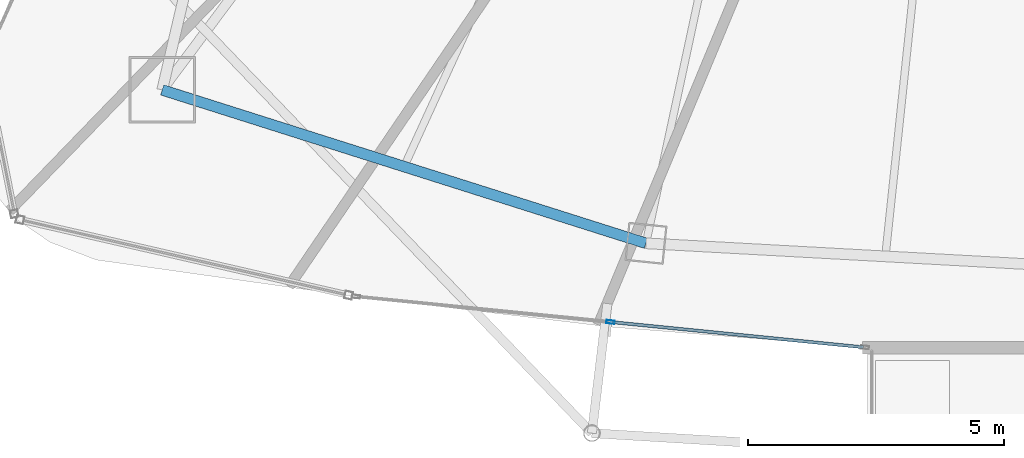
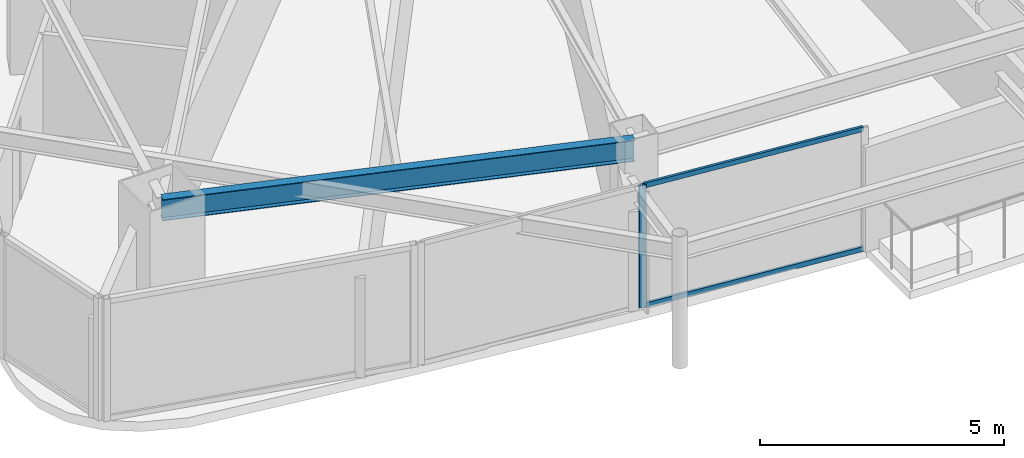
# One storey, part 4 of 29: 3 members, 1 beam, 1 element without a shape of its own.
"""IFC4 building model written with IfcOpenShell, lengths in metres."""

from ifc_helpers import new_model, si_unit, direction, frame, origin, origin_2d, place, context, subcontext, project, spatial, hollow_rectangle, i_section, extrude, material, layer, layer_set, material_profile, profile_set, type_object, element, aggregate, save


model = new_model("IFC4")

# Units and contexts
model_context = context("Model", 3, precision=1e-05, world=origin(), true_north=direction((0.0, 1.0)))
body_context = subcontext(model_context, "Body", "Model", "MODEL_VIEW")
ifc_project = project(units=[si_unit("LENGTHUNIT", "METRE"), si_unit("AREAUNIT", "SQUARE_METRE"), si_unit("VOLUMEUNIT", "CUBIC_METRE"), si_unit("PLANEANGLEUNIT", "RADIAN"), si_unit("MASSUNIT", "GRAM", prefix="KILO")], contexts=[model_context])

# Site, building, storey
site_placement = place(None, origin())
site = spatial("IfcSite", under=ifc_project, at=site_placement, CompositionType="ELEMENT")
building_placement = place(site_placement, origin())
building = spatial("IfcBuilding", under=site, at=building_placement, Name="Orvanel Arch Residences", CompositionType="ELEMENT")
storey_placement = place(building_placement, frame((0.0, 0.0, 243.64990234375)))
storey = spatial("IfcBuildingStorey", under=building, at=storey_placement, Name="L69", CompositionType="ELEMENT", Elevation=243.64990234375)

# Curtain wall, member
ifc_material_1 = material(Name="Bronze-anodised aluminium AA6063-T6", Category="aluminium")
ifc_layer = layer(ifc_material_1, 0.175048828125)
ifc_layer_set = layer_set([ifc_layer], Name="Bronze-anodised aluminium AA6063-T6")
curtain_wall_type = type_object("IfcCurtainWallType", Name="CW4-HI-SYS", PredefinedType="NOTDEFINED", material=ifc_layer_set)
curtain_wall_placement = place(storey_placement, origin())
curtain_wall = element("IfcCurtainWall", 1, at=curtain_wall_placement, inside=storey, type_object=curtain_wall_type, Name="L69 CW4-HI-SYS Unitised Curtain Wall", PredefinedType="NOTDEFINED")
ifc_material_profile_1 = material_profile(ifc_material_1, hollow_rectangle(XDim=0.06494140625, YDim=0.159912109375, WallThickness=0.00390625, at=origin_2d()), Name="ALU160x65x4")
ifc_profile_set_1 = profile_set([ifc_material_profile_1], Name="Bronze-anodised aluminium AA6063-T6")
member_type_1 = type_object("IfcMemberType", Name="MUL-160x65", PredefinedType="MULLION", material=ifc_profile_set_1)
member_1_placement = place(storey_placement, frame((22.95556640625, 5.8173828125, 0.0), z_axis=(0.0, 0.0, 1.0), x_axis=(0.099356011792, 0.99505194986, 0.0)))
member_1 = element("IfcMember", 2, at=member_1_placement, type_object=member_type_1, Name="CW-S4 mullion 2", PredefinedType="MULLION", context=body_context, shape_type="SweptSolid", body=[
    extrude(hollow_rectangle(XDim=0.06494140625, YDim=0.159912109375, WallThickness=0.00390625, at=origin_2d()), origin(), (0.0, 0.0, 1.0), 3.06005859375),
])

# Beam
ifc_material_2 = material(Name="Structural steel AS/NZS 3679.1 Grade 300 (300 MPa)", Category="steel")
ifc_material_profile_2 = material_profile(ifc_material_2, i_section(OverallWidth=0.208984375, OverallDepth=0.532958984375, WebThickness=0.01025390625, FlangeThickness=0.015625, at=origin_2d()), Name="530UB92.4")
ifc_profile_set_2 = profile_set([ifc_material_profile_2], Name="Structural steel AS/NZS 3679.1 Grade 300 (300 MPa)")
beam_type = type_object("IfcBeamType", Name="SP-530UB", PredefinedType="SPANDREL", material=ifc_profile_set_2)
beam_placement = place(storey_placement, frame((14.198974609375, 10.35107421875, 2.794189453125), z_axis=(0.953237386592, -0.302222574941, 0.0), x_axis=(0.302222574941, 0.953237386592, 0.0)))
element("IfcBeam", 3, at=beam_placement, inside=storey, type_object=beam_type, Name="L69 Perimeter Spandrel Beam 02", PredefinedType="SPANDREL", context=body_context, shape_type="SweptSolid", body=[
    extrude(i_section(OverallWidth=0.208984375, OverallDepth=0.532958984375, WebThickness=0.01025390625, FlangeThickness=0.015625, at=origin_2d()), origin(), (0.0, 0.0, 1.0), 9.91357421875),
])

# Member
ifc_material_profile_3 = material_profile(ifc_material_1, hollow_rectangle(XDim=0.06005859375, YDim=0.1201171875, WallThickness=0.00341796875, at=origin_2d()), Name="ALU120x60x3.5")
ifc_profile_set_3 = profile_set([ifc_material_profile_3], Name="Bronze-anodised aluminium AA6063-T6")
member_type_2 = type_object("IfcMemberType", Name="TRN-120x60", PredefinedType="USERDEFINED", material=ifc_profile_set_3)
member_2_placement = place(storey_placement, frame((22.98779296875, 5.814208984375, 0.030029296875), z_axis=(0.995053357637, -0.099341911881, 0.0), x_axis=(0.099341911881, 0.995053357637, 0.0)))
member_2 = element("IfcMember", 4, at=member_2_placement, type_object=member_type_2, Name="CW-S4 transom 2.1", ObjectType="TRANSOM", PredefinedType="USERDEFINED", context=body_context, shape_type="SweptSolid", body=[
    extrude(hollow_rectangle(XDim=0.06005859375, YDim=0.1201171875, WallThickness=0.00341796875, at=origin_2d()), origin(), (0.0, 0.0, 1.0), 4.929931640625),
])

member_3_placement = place(storey_placement, frame((22.98779296875, 5.814208984375, 3.030029296875), z_axis=(0.995053357637, -0.099341911881, 0.0), x_axis=(0.099341911881, 0.995053357637, 0.0)))
member_3 = element("IfcMember", 5, at=member_3_placement, type_object=member_type_2, Name="CW-S4 transom 2.2", ObjectType="TRANSOM", PredefinedType="USERDEFINED", context=body_context, shape_type="SweptSolid", body=[
    extrude(hollow_rectangle(XDim=0.06005859375, YDim=0.1201171875, WallThickness=0.00341796875, at=origin_2d()), origin(), (0.0, 0.0, 1.0), 4.929931640625),
])

aggregate(curtain_wall, [member_1, member_2, member_3])

save(model, "model.ifc")
